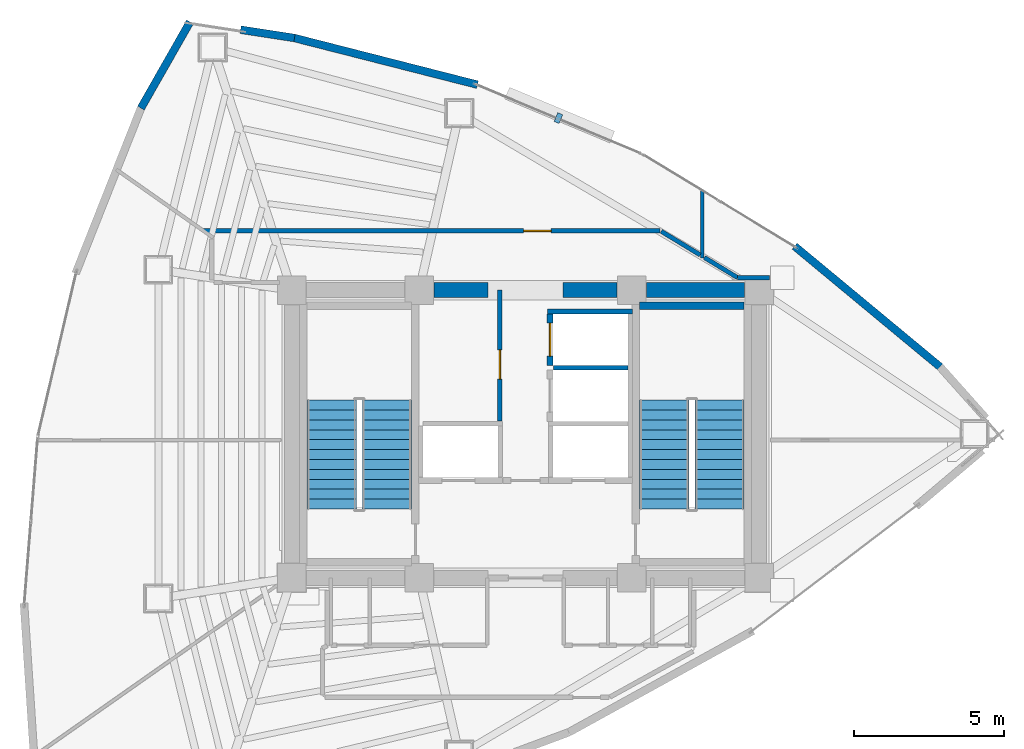
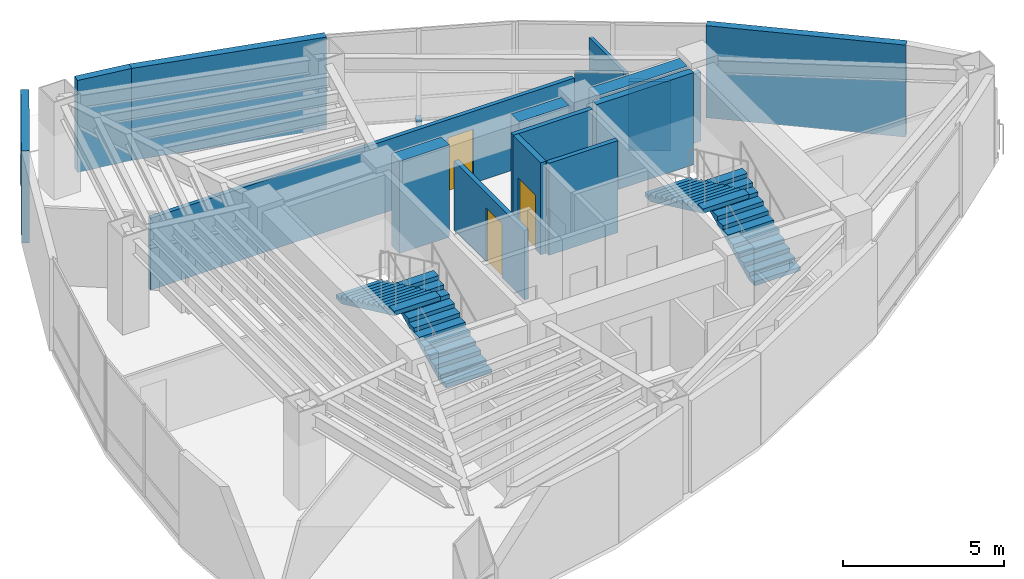
# One storey, part 13 of 15: 17 walls, 4 stair flights, 3 doors, 1 discrete accessory, 3 openings, 2 elements without a shape of their own.
"""IFC4 building model written with IfcOpenShell, lengths in metres."""

from ifc_helpers import new_model, si_unit, direction, frame, frame_2d, origin, origin_2d, place, context, subcontext, project, spatial, polyline, rectangle, outline, extrude, material, layer, layer_set, type_object, element, fill, aggregate, save


model = new_model("IFC4")

# Units and contexts
model_context = context("Model", 3, precision=1e-05, world=origin(), true_north=direction((0.0, 1.0)))
body_context = subcontext(model_context, "Body", "Model", "MODEL_VIEW")
ifc_project = project(units=[si_unit("LENGTHUNIT", "METRE"), si_unit("AREAUNIT", "SQUARE_METRE"), si_unit("VOLUMEUNIT", "CUBIC_METRE"), si_unit("PLANEANGLEUNIT", "RADIAN"), si_unit("MASSUNIT", "GRAM", prefix="KILO")], contexts=[model_context])

# Site, building, storey
site_placement = place(None, origin())
site = spatial("IfcSite", under=ifc_project, at=site_placement, CompositionType="ELEMENT")
building_placement = place(site_placement, origin())
building = spatial("IfcBuilding", under=site, at=building_placement, Name="Menara Vayukalpa", CompositionType="ELEMENT")
storey_placement = place(building_placement, frame((0.0, 0.0, 172.919921875)))
storey = spatial("IfcBuildingStorey", under=building, at=storey_placement, Name="L43", CompositionType="ELEMENT", Elevation=172.919921875)

# Walls
ifc_material_1 = material(Name="Concrete C60/75", Category="concrete")
ifc_layer_1 = layer(ifc_material_1, 0.5)
ifc_layer_set_1 = layer_set([ifc_layer_1], Name="Concrete C60/75")
wall_type_1 = type_object("IfcWallType", Name="WAL-CW500", PredefinedType="SHEAR", material=ifc_layer_set_1)
wall_1_placement = place(storey_placement, frame((22.544921875, 26.800048828125, 0.0), z_axis=(0.0, 0.0, 1.0), x_axis=(1.0, 0.0, 0.0)))
element("IfcWall", 1, at=wall_1_placement, inside=storey, type_object=wall_type_1, Name="L43 Buttressed Core Shear Wall CWN2", PredefinedType="SHEAR", context=body_context, shape_type="SweptSolid", body=[
    extrude(rectangle(XDim=1.80517578125, YDim=0.5, at=frame_2d((0.902587890625, 0.0))), origin(), (0.0, 0.0, 1.0), 3.5),
])
wall_2_placement = place(storey_placement, frame((26.85009765625, 26.800048828125, 0.0), z_axis=(0.0, 0.0, 1.0), x_axis=(1.0, 0.0, 0.0)))
element("IfcWall", 2, at=wall_2_placement, inside=storey, type_object=wall_type_1, Name="L43 Buttressed Core Shear Wall CWN3", PredefinedType="SHEAR", context=body_context, shape_type="SweptSolid", body=[
    extrude(rectangle(XDim=1.804931640625, YDim=0.5, at=frame_2d((0.90234375, 0.0))), origin(), (0.0, 0.0, 1.0), 3.5),
])
wall_3_placement = place(storey_placement, frame((29.64501953125, 26.800048828125, 0.0), z_axis=(0.0, 0.0, 1.0), x_axis=(1.0, 0.0, 0.0)))
element("IfcWall", 3, at=wall_3_placement, inside=storey, type_object=wall_type_1, Name="L43 Buttressed Core Shear Wall CWN4", PredefinedType="SHEAR", context=body_context, shape_type="SweptSolid", body=[
    extrude(rectangle(XDim=3.260009765625, YDim=0.5, at=frame_2d((1.6298828125, 0.0))), origin(), (0.0, 0.0, 1.0), 3.5),
])
ifc_material_2 = material(Name="Insulated Precast Concrete C40/50", Category="concrete")
ifc_layer_2 = layer(ifc_material_2, 0.260009765625)
ifc_layer_set_2 = layer_set([ifc_layer_2], Name="Insulated Precast Concrete C40/50")
wall_type_2 = type_object("IfcWallType", Name="WAL-EXT260", PredefinedType="PARTITIONING", material=ifc_layer_set_2)
wall_4_placement = place(storey_placement, frame((34.58251953125, 28.26953125, 0.0), z_axis=(0.0, 0.0, 1.0), x_axis=(0.769770017655, -0.638321329676, 0.0)))
element("IfcWall", 4, at=wall_4_placement, inside=storey, type_object=wall_type_2, Name="L43 Perimeter Terracotta Pier Wall 03", PredefinedType="PARTITIONING", context=body_context, shape_type="SweptSolid", body=[
    extrude(rectangle(XDim=6.309326171875, YDim=0.260009765625, at=frame_2d((3.15478515625, 0.0))), origin(), (0.0, 0.0, 1.0), 3.5),
])
wall_5_placement = place(storey_placement, frame((17.8759765625, 35.22216796875, 0.0), z_axis=(0.0, 0.0, 1.0), x_axis=(0.968976240439, -0.247153890246, 0.0)))
element("IfcWall", 5, at=wall_5_placement, inside=storey, type_object=wall_type_2, Name="L43 Perimeter Terracotta Pier Wall 06", PredefinedType="PARTITIONING", context=body_context, shape_type="SweptSolid", body=[
    extrude(rectangle(XDim=6.31494140625, YDim=0.260009765625, at=frame_2d((3.157470703125, 0.0))), origin(), (0.0, 0.0, 1.0), 3.5),
])
wall_6_placement = place(storey_placement, frame((16.0908203125, 35.49609375, 0.0), z_axis=(0.0, 0.0, 1.0), x_axis=(0.988377906791, -0.15201681936, 0.0)))
element("IfcWall", 6, at=wall_6_placement, inside=storey, type_object=wall_type_2, Name="L43 Perimeter Terracotta Pier Wall 07", PredefinedType="PARTITIONING", context=body_context, shape_type="SweptSolid", body=[
    extrude(rectangle(XDim=1.818115234375, YDim=0.260009765625, at=frame_2d((0.9091796875, 0.0))), origin(), (0.0, 0.0, 1.0), 3.5),
])
wall_7_placement = place(storey_placement, frame((12.76123046875, 32.877685546875, 0.0), z_axis=(0.0, 0.0, 1.0), x_axis=(0.494884228667, 0.86895891745, 0.0)))
element("IfcWall", 7, at=wall_7_placement, inside=storey, type_object=wall_type_2, Name="L43 Perimeter Terracotta Pier Wall 08", PredefinedType="PARTITIONING", context=body_context, shape_type="SweptSolid", body=[
    extrude(rectangle(XDim=3.312255859375, YDim=0.260009765625, at=frame_2d((1.65625, 0.0))), origin(), (0.0, 0.0, 1.0), 3.5),
])
ifc_material_3 = material(Name="Lightweight Concrete Blockwork C16/20", Category="masonry")
ifc_layer_3 = layer(ifc_material_3, 0.159912109375)
ifc_layer_set_3 = layer_set([ifc_layer_3], Name="Lightweight Concrete Blockwork C16/20")
wall_type_3 = type_object("IfcWallType", Name="WAL-FR150", PredefinedType="PARTITIONING", material=ifc_layer_set_3)
wall_8_placement = place(storey_placement, frame((26.530029296875, 24.215087890625, 0.0), z_axis=(0.0, 0.0, 1.0), x_axis=(1.0, 0.0, 0.0)))
element("IfcWall", 8, at=wall_8_placement, inside=storey, type_object=wall_type_3, Name="L43 Interior Partition IW-L43-SHM-E32", PredefinedType="PARTITIONING", context=body_context, shape_type="SweptSolid", body=[
    extrude(rectangle(XDim=2.489990234375, YDim=0.159912109375, at=frame_2d((1.2451171875, 0.0))), origin(), (0.0, 0.0, 1.0), 3.5),
])
wall_9_placement = place(storey_placement, frame((26.340087890625, 26.0849609375, 0.0), z_axis=(0.0, 0.0, 1.0), x_axis=(1.0, 0.0, 0.0)))
element("IfcWall", 9, at=wall_9_placement, inside=storey, type_object=wall_type_3, Name="L43 Interior Partition IW-L43-SHM-E2N", PredefinedType="PARTITIONING", context=body_context, shape_type="SweptSolid", body=[
    extrude(rectangle(XDim=2.829833984375, YDim=0.159912109375, at=frame_2d((1.4150390625, 0.0))), origin(), (0.0, 0.0, 1.0), 3.5),
])

# Wall, opening, door
wall_10_placement = place(storey_placement, frame((24.739990234375, 22.429931640625, 0.0), z_axis=(0.0, 0.0, 1.0), x_axis=(0.0, 1.0, 0.0)))
wall_10 = element("IfcWall", 10, at=wall_10_placement, inside=storey, type_object=wall_type_3, Name="L43 Interior Partition IW-L43-LV7W", PredefinedType="PARTITIONING", context=body_context, shape_type="SweptSolid", body=[
    extrude(rectangle(XDim=4.3701171875, YDim=0.159912109375, at=frame_2d((2.18505859375, 0.0))), origin(), (0.0, 0.0, 1.0), 2.630126953125),
])
opening_1_placement = place(wall_10_placement, frame((1.39990234375, 0.0, 0.0)))
opening_1 = element("IfcOpeningElement", 11, at=opening_1_placement, cuts=wall_10, Name="Opening ID3", PredefinedType="OPENING", context=body_context, shape_type="SweptSolid", body=[
    extrude(rectangle(XDim=0.97998046875, YDim=2.06005859375, at=frame_2d((0.489990234375, 1.030029296875))), frame((0.0, 0.08984375, 0.0), z_axis=(0.0, -1.0, 0.0), x_axis=(1.0, 0.0, 0.0)), (0.0, 0.0, 1.0), 0.179931640625),
])
ifc_material_4 = material(Name="Fire-Rated Powder-Coated Steel Door", Category="steel")
door_type_1 = type_object("IfcDoorType", Name="DR-FD60", OperationType="NOTDEFINED", PredefinedType="DOOR", material=ifc_material_4)
door_1_placement = place(opening_1_placement, origin())
door_1 = element("IfcDoor", 12, at=door_1_placement, inside=storey, type_object=door_type_1, Name="L43 Interior Door DR-L43-LV7W", OperationType="SINGLE_SWING_RIGHT", OverallHeight=2.06005859375, OverallWidth=0.97998046875, PredefinedType="DOOR", context=body_context, shape_type="SweptSolid", body=[
    extrude(rectangle(XDim=0.97998046875, YDim=2.06005859375, at=frame_2d((0.489990234375, 1.030029296875))), frame((0.0, 0.02490234375, 0.0), z_axis=(0.0, -1.0, 0.0), x_axis=(1.0, 0.0, 0.0)), (0.0, 0.0, 1.0), 0.050048828125),
])
fill(opening_1, door_1)

ifc_material_5 = material(Name="Lightweight Concrete Blockwork C16/20", Category="masonry")
ifc_layer_4 = layer(ifc_material_5, 0.199951171875)
ifc_layer_set_4 = layer_set([ifc_layer_4], Name="Lightweight Concrete Blockwork C16/20")
wall_type_4 = type_object("IfcWallType", Name="WAL-FR200", PredefinedType="PARTITIONING", material=ifc_layer_set_4)
wall_11_placement = place(storey_placement, frame((26.419921875, 24.2900390625, 0.0), z_axis=(0.0, 0.0, 1.0), x_axis=(0.0, 1.0, 0.0)))
wall_11 = element("IfcWall", 13, at=wall_11_placement, inside=storey, type_object=wall_type_4, Name="L43 Interior Partition IW-L43-SH-E2", PredefinedType="PARTITIONING", context=body_context, shape_type="SweptSolid", body=[
    extrude(rectangle(XDim=1.719970703125, YDim=0.199951171875, at=frame_2d((0.85986328125, 0.0))), origin(), (0.0, 0.0, 1.0), 3.5),
])
opening_2_placement = place(wall_11_placement, frame((0.31005859375, 0.0, 0.0)))
opening_2 = element("IfcOpeningElement", 14, at=opening_2_placement, cuts=wall_11, Name="Opening LD1", PredefinedType="OPENING", context=body_context, shape_type="SweptSolid", body=[
    extrude(rectangle(XDim=1.10009765625, YDim=2.080078125, at=frame_2d((0.550048828125, 1.0400390625))), frame((0.0, 0.10986328125, 0.0), z_axis=(0.0, -1.0, 0.0), x_axis=(1.0, 0.0, 0.0)), (0.0, 0.0, 1.0), 0.219970703125),
])
ifc_material_6 = material(Name="Brushed Stainless Steel 316 Lift Door", Category="steel")
door_type_2 = type_object("IfcDoorType", Name="DR-LD110", OperationType="NOTDEFINED", PredefinedType="DOOR", material=ifc_material_6)
door_2_placement = place(opening_2_placement, origin())
door_2 = element("IfcDoor", 15, at=door_2_placement, inside=storey, type_object=door_type_2, Name="L43 Interior Door DR-L43-LD-E2", OperationType="DOUBLE_DOOR_SLIDING", OverallHeight=2.080078125, OverallWidth=1.10009765625, PredefinedType="DOOR", context=body_context, shape_type="SweptSolid", body=[
    extrude(rectangle(XDim=1.10009765625, YDim=2.080078125, at=frame_2d((0.550048828125, 1.0400390625))), frame((0.0, 0.02490234375, 0.0), z_axis=(0.0, -1.0, 0.0), x_axis=(1.0, 0.0, 0.0)), (0.0, 0.0, 1.0), 0.050048828125),
])
fill(opening_2, door_2)

# Walls
ifc_material_7 = material(Name="Gypsum Drywall Steel Stud Assembly", Category="steel")
ifc_layer_5 = layer(ifc_material_7, 0.125)
ifc_layer_set_5 = layer_set([ifc_layer_5], Name="Gypsum Drywall Steel Stud Assembly")
wall_type_5 = type_object("IfcWallType", Name="WAL-PT125", PredefinedType="PARTITIONING", material=ifc_layer_set_5)
wall_12_placement = place(storey_placement, frame((31.5, 27.876708984375, 0.0), z_axis=(0.0, 0.0, 1.0), x_axis=(0.0, 1.0, 0.0)))
element("IfcWall", 16, at=wall_12_placement, inside=storey, type_object=wall_type_5, Name="L43 Interior Partition IW-L43-RDIV01", PredefinedType="PARTITIONING", context=body_context, shape_type="SweptSolid", body=[
    extrude(rectangle(XDim=2.25830078125, YDim=0.125, at=frame_2d((1.129150390625, 0.0))), origin(), (0.0, 0.0, 1.0), 2.93017578125),
])
ifc_material_8 = material(Name="Gypsum Drywall Acoustic Stud Assembly", Category="masonry")
ifc_layer_6 = layer(ifc_material_8, 0.14501953125)
ifc_layer_set_6 = layer_set([ifc_layer_6], Name="Gypsum Drywall Acoustic Stud Assembly")
wall_type_6 = type_object("IfcWallType", Name="WAL-PT150", PredefinedType="PARTITIONING", material=ifc_layer_set_6)
wall_13_placement = place(storey_placement, frame((33.739990234375, 27.219970703125, 0.0), z_axis=(0.0, 0.0, 1.0), x_axis=(-1.0, 0.0, 0.0)))
element("IfcWall", 17, at=wall_13_placement, inside=storey, type_object=wall_type_6, Name="L43 Interior Partition IW-L43-CRM03-1", PredefinedType="PARTITIONING", context=body_context, shape_type="SweptSolid", body=[
    extrude(rectangle(XDim=1.0625, YDim=0.14501953125, at=frame_2d((0.53125, 0.0))), origin(), (0.0, 0.0, 1.0), 2.630126953125),
])
wall_14_placement = place(storey_placement, frame((32.677490234375, 27.219970703125, 0.0), z_axis=(0.0, 0.0, 1.0), x_axis=(-0.854620308946, 0.51925343286, 0.0)))
element("IfcWall", 18, at=wall_14_placement, inside=storey, type_object=wall_type_6, Name="L43 Interior Partition IW-L43-CRM03-2", PredefinedType="PARTITIONING", context=body_context, shape_type="SweptSolid", body=[
    extrude(rectangle(XDim=1.2958984375, YDim=0.14501953125, at=frame_2d((0.64794921875, 0.0))), origin(), (0.0, 0.0, 1.0), 2.630126953125),
])
wall_15_placement = place(storey_placement, frame((31.429931640625, 27.977783203125, 0.0), z_axis=(0.0, 0.0, 1.0), x_axis=(-0.854650301125, 0.519204066612, 0.0)))
element("IfcWall", 19, at=wall_15_placement, inside=storey, type_object=wall_type_6, Name="L43 Interior Partition IW-L43-CRM04-1", PredefinedType="PARTITIONING", context=body_context, shape_type="SweptSolid", body=[
    extrude(rectangle(XDim=1.5224609375, YDim=0.14501953125, at=frame_2d((0.76123046875, 0.0))), origin(), (0.0, 0.0, 1.0), 2.93017578125),
])

# Wall, opening, door
wall_16_placement = place(storey_placement, frame((30.087158203125, 28.780029296875, 0.0), z_axis=(0.0, 0.0, 1.0), x_axis=(-1.0, 0.0, 0.0)))
wall_16 = element("IfcWall", 20, at=wall_16_placement, inside=storey, type_object=wall_type_6, Name="L43 Interior Partition IW-L43-CRM04-2", PredefinedType="PARTITIONING", context=body_context, shape_type="SweptSolid", body=[
    extrude(rectangle(XDim=15.235595703125, YDim=0.14501953125, at=frame_2d((7.61767578125, 0.0))), origin(), (0.0, 0.0, 1.0), 2.72998046875),
])
opening_3_placement = place(wall_16_placement, frame((3.6318359375, 0.0, 0.0)))
opening_3 = element("IfcOpeningElement", 21, at=opening_3_placement, cuts=wall_16, Name="Opening ID6", PredefinedType="OPENING", context=body_context, shape_type="SweptSolid", body=[
    extrude(rectangle(XDim=0.919921875, YDim=2.050048828125, at=frame_2d((0.4599609375, 1.02490234375))), frame((0.0, 0.08251953125, 0.0), z_axis=(0.0, -1.0, 0.0), x_axis=(1.0, 0.0, 0.0)), (0.0, 0.0, 1.0), 0.1650390625),
])
ifc_material_9 = material(Name="Acoustic Hardwood Veneer Timber Door", Category="wood")
door_type_3 = type_object("IfcDoorType", Name="DR-INT92", OperationType="NOTDEFINED", PredefinedType="DOOR", material=ifc_material_9)
door_3_placement = place(opening_3_placement, origin())
door_3 = element("IfcDoor", 22, at=door_3_placement, inside=storey, type_object=door_type_3, Name="L43 Interior Door DR-L43-RM04", OperationType="SINGLE_SWING_LEFT", OverallHeight=2.050048828125, OverallWidth=0.919921875, PredefinedType="DOOR", context=body_context, shape_type="SweptSolid", body=[
    extrude(rectangle(XDim=0.919921875, YDim=2.050048828125, at=frame_2d((0.4599609375, 1.02490234375))), frame((0.0, 0.02490234375, 0.0), z_axis=(0.0, -1.0, 0.0), x_axis=(1.0, 0.0, 0.0)), (0.0, 0.0, 1.0), 0.050048828125),
])
fill(opening_3, door_3)

# Wall
ifc_material_10 = material(Name="Concrete C50/60", Category="concrete")
ifc_layer_7 = layer(ifc_material_10, 0.25)
ifc_layer_set_7 = layer_set([ifc_layer_7], Name="Concrete C50/60")
wall_type_7 = type_object("IfcWallType", Name="WAL-SW250", PredefinedType="SHEAR", material=ifc_layer_set_7)
wall_17_placement = place(storey_placement, frame((29.39990234375, 26.27490234375, 0.0), z_axis=(0.0, 0.0, 1.0), x_axis=(1.0, 0.0, 0.0)))
element("IfcWall", 23, at=wall_17_placement, inside=storey, type_object=wall_type_7, Name="L43 ST2 Structural Stair Shaft Wall N", PredefinedType="SHEAR", context=body_context, shape_type="SweptSolid", body=[
    extrude(rectangle(XDim=3.49609375, YDim=0.25, at=frame_2d((1.748046875, 0.0))), origin(), (0.0, 0.0, 1.0), 3.5),
])

# Stair, stair flights
ifc_material_11 = material(Name="Precast Concrete C40/50", Category="concrete")
stair_type = type_object("IfcStairType", Name="STR-T04", PredefinedType="DOUBLE_RETURN_STAIR", material=ifc_material_11)
stair_1_placement = place(storey_placement, origin())
stair_1 = element("IfcStair", 24, at=stair_1_placement, inside=storey, type_object=stair_type, Name="L43 Core Exit Stair ST-1", PredefinedType="DOUBLE_RETURN_STAIR")
ifc_material_12 = material(Name="Precast Concrete C40/50", Category="concrete")
stair_flight_type = type_object("IfcStairFlightType", Name="STF-T04", PredefinedType="STRAIGHT", material=ifc_material_12)
stair_flight_1_placement = place(storey_placement, frame((20.97509765625, 19.5, 0.0), z_axis=(0.0, 0.0, 1.0), x_axis=(0.0, 1.0, 0.0)))
stair_flight_1 = element("IfcStairFlight", 25, at=stair_flight_1_placement, type_object=stair_flight_type, Name="ST-1 flight 1", NumberOfRisers=12, NumberOfTreads=11, PredefinedType="STRAIGHT", RiserHeight=0.155, TreadLength=0.33, context=body_context, shape_type="SweptSolid", body=[
    extrude(outline(polyline([(0.0, 0.0), (0.0, 0.155029296875), (0.330078125, 0.155029296875), (0.330078125, 0.31005859375), (0.659912109375, 0.31005859375), (0.659912109375, 0.465087890625), (0.989990234375, 0.465087890625), (0.989990234375, 0.6201171875), (1.320068359375, 0.6201171875), (1.320068359375, 0.77490234375), (1.64990234375, 0.77490234375), (1.64990234375, 0.929931640625), (1.97998046875, 0.929931640625), (1.97998046875, 1.0849609375), (2.31005859375, 1.0849609375), (2.31005859375, 1.239990234375), (2.639892578125, 1.239990234375), (2.639892578125, 1.39501953125), (2.969970703125, 1.39501953125), (2.969970703125, 1.550048828125), (3.300048828125, 1.550048828125), (3.300048828125, 1.705078125), (3.6298828125, 1.705078125), (3.6298828125, 1.860107421875), (3.6298828125, 1.539306640625), (0.3525390625, 0.0), (0.0, 0.0)])), frame((0.0, 0.824951171875, 0.0), z_axis=(0.0, -1.0, 0.0), x_axis=(1.0, 0.0, 0.0)), (0.0, 0.0, 1.0), 1.64990234375),
])
stair_flight_2_placement = place(storey_placement, frame((19.125, 23.1298828125, 1.860107421875), z_axis=(0.0, 0.0, 1.0), x_axis=(0.0, -1.0, 0.0)))
stair_flight_2 = element("IfcStairFlight", 26, at=stair_flight_2_placement, type_object=stair_flight_type, Name="ST-1 flight 2", NumberOfRisers=12, NumberOfTreads=11, PredefinedType="STRAIGHT", RiserHeight=0.155, TreadLength=0.33, context=body_context, shape_type="SweptSolid", body=[
    extrude(outline(polyline([(0.0, 0.0), (0.0, 0.155029296875), (0.330078125, 0.155029296875), (0.330078125, 0.31005859375), (0.659912109375, 0.31005859375), (0.659912109375, 0.465087890625), (0.989990234375, 0.465087890625), (0.989990234375, 0.6201171875), (1.320068359375, 0.6201171875), (1.320068359375, 0.77490234375), (1.64990234375, 0.77490234375), (1.64990234375, 0.929931640625), (1.97998046875, 0.929931640625), (1.97998046875, 1.0849609375), (2.31005859375, 1.0849609375), (2.31005859375, 1.239990234375), (2.639892578125, 1.239990234375), (2.639892578125, 1.39501953125), (2.969970703125, 1.39501953125), (2.969970703125, 1.550048828125), (3.300048828125, 1.550048828125), (3.300048828125, 1.705078125), (3.6298828125, 1.705078125), (3.6298828125, 1.860107421875), (3.6298828125, 1.539306640625), (0.3525390625, 0.0), (0.0, 0.0)])), frame((0.0, 0.824951171875, 0.0), z_axis=(0.0, -1.0, 0.0), x_axis=(1.0, 0.0, 0.0)), (0.0, 0.0, 1.0), 1.64990234375),
])
aggregate(stair_1, [stair_flight_1, stair_flight_2])

stair_2_placement = place(storey_placement, origin())
stair_2 = element("IfcStair", 27, at=stair_2_placement, inside=storey, type_object=stair_type, Name="L43 Core Exit Stair ST-2", PredefinedType="DOUBLE_RETURN_STAIR")
stair_flight_3_placement = place(storey_placement, frame((32.074951171875, 19.5, 0.0), z_axis=(0.0, 0.0, 1.0), x_axis=(0.0, 1.0, 0.0)))
stair_flight_3 = element("IfcStairFlight", 28, at=stair_flight_3_placement, type_object=stair_flight_type, Name="ST-2 flight 1", NumberOfRisers=12, NumberOfTreads=11, PredefinedType="STRAIGHT", RiserHeight=0.155, TreadLength=0.33, context=body_context, shape_type="SweptSolid", body=[
    extrude(outline(polyline([(0.0, 0.0), (0.0, 0.155029296875), (0.330078125, 0.155029296875), (0.330078125, 0.31005859375), (0.659912109375, 0.31005859375), (0.659912109375, 0.465087890625), (0.989990234375, 0.465087890625), (0.989990234375, 0.6201171875), (1.320068359375, 0.6201171875), (1.320068359375, 0.77490234375), (1.64990234375, 0.77490234375), (1.64990234375, 0.929931640625), (1.97998046875, 0.929931640625), (1.97998046875, 1.0849609375), (2.31005859375, 1.0849609375), (2.31005859375, 1.239990234375), (2.639892578125, 1.239990234375), (2.639892578125, 1.39501953125), (2.969970703125, 1.39501953125), (2.969970703125, 1.550048828125), (3.300048828125, 1.550048828125), (3.300048828125, 1.705078125), (3.6298828125, 1.705078125), (3.6298828125, 1.860107421875), (3.6298828125, 1.539306640625), (0.3525390625, 0.0), (0.0, 0.0)])), frame((0.0, 0.824951171875, 0.0), z_axis=(0.0, -1.0, 0.0), x_axis=(1.0, 0.0, 0.0)), (0.0, 0.0, 1.0), 1.64990234375),
])
stair_flight_4_placement = place(storey_placement, frame((30.22509765625, 23.1298828125, 1.860107421875), z_axis=(0.0, 0.0, 1.0), x_axis=(0.0, -1.0, 0.0)))
stair_flight_4 = element("IfcStairFlight", 29, at=stair_flight_4_placement, type_object=stair_flight_type, Name="ST-2 flight 2", NumberOfRisers=12, NumberOfTreads=11, PredefinedType="STRAIGHT", RiserHeight=0.155, TreadLength=0.33, context=body_context, shape_type="SweptSolid", body=[
    extrude(outline(polyline([(0.0, 0.0), (0.0, 0.155029296875), (0.330078125, 0.155029296875), (0.330078125, 0.31005859375), (0.659912109375, 0.31005859375), (0.659912109375, 0.465087890625), (0.989990234375, 0.465087890625), (0.989990234375, 0.6201171875), (1.320068359375, 0.6201171875), (1.320068359375, 0.77490234375), (1.64990234375, 0.77490234375), (1.64990234375, 0.929931640625), (1.97998046875, 0.929931640625), (1.97998046875, 1.0849609375), (2.31005859375, 1.0849609375), (2.31005859375, 1.239990234375), (2.639892578125, 1.239990234375), (2.639892578125, 1.39501953125), (2.969970703125, 1.39501953125), (2.969970703125, 1.550048828125), (3.300048828125, 1.550048828125), (3.300048828125, 1.705078125), (3.6298828125, 1.705078125), (3.6298828125, 1.860107421875), (3.6298828125, 1.539306640625), (0.3525390625, 0.0), (0.0, 0.0)])), frame((0.0, 0.824951171875, 0.0), z_axis=(0.0, -1.0, 0.0), x_axis=(1.0, 0.0, 0.0)), (0.0, 0.0, 1.0), 1.64990234375),
])
aggregate(stair_2, [stair_flight_3, stair_flight_4])

# Discrete accessory
ifc_material_13 = material(Name="Stainless Steel 316 Sunshade Bracket", Category="steel")
discrete_accessory_type = type_object("IfcDiscreteAccessoryType", Name="ACC-BRK1", PredefinedType="BRACKET", material=ifc_material_13)
discrete_accessory_placement = place(storey_placement, frame((26.69775390625, 32.5458984375, -0.15966796875), z_axis=(0.0, 0.0, 1.0), x_axis=(-0.922538089456, 0.385906042324, 0.0)))
element("IfcDiscreteAccessory", 30, at=discrete_accessory_placement, inside=storey, type_object=discrete_accessory_type, Name="L43 Terracotta Sunshade Bracket 05", PredefinedType="BRACKET", context=body_context, shape_type="SweptSolid", body=[
    extrude(rectangle(XDim=0.179931640625, YDim=0.320068359375, at=origin_2d()), origin(), (0.0, 0.0, 1.0), 0.219970703125),
])

save(model, "model.ifc")
